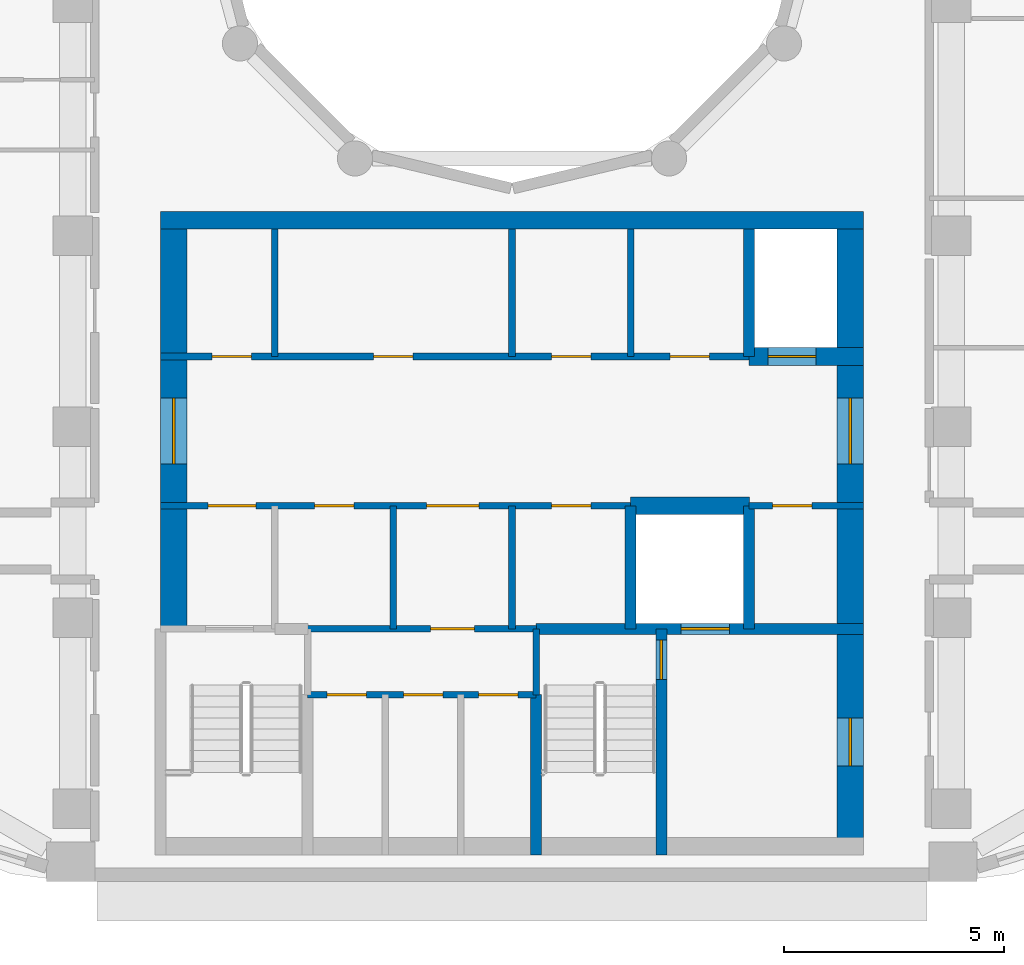
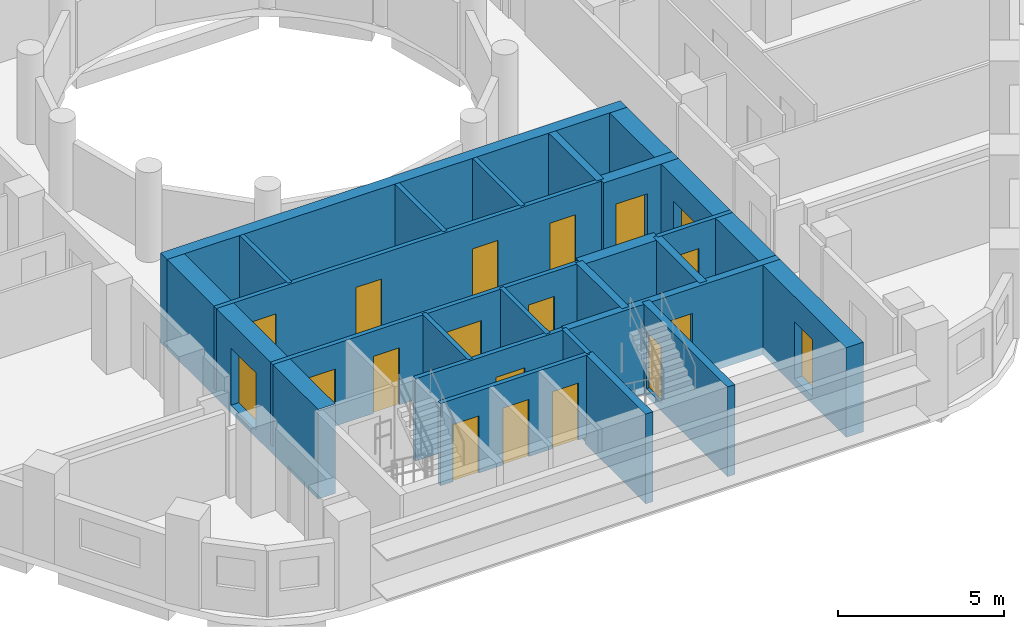
# One storey, part 3 of 12: 22 walls, 19 doors, 19 openings.
"""IFC4 building model written with IfcOpenShell, lengths in metres."""

import ifcopenshell
import ifcopenshell.guid

model = None  # the IFC model being written
_history = None  # IfcOwnerHistory: only IFC2X3 demands one
_inside = {}  # id of a spatial element -> (the spatial element, [elements in it])
_under = {}  # id of a project, library or spatial element -> (it, [spatial elements below it])
_declared = {}  # id of a project -> (the project, [libraries it declares])
_typed = {}  # id of a type object -> (the type object, [elements of that type])
_made_of = {}  # id of a material, layer set ... -> (it, [elements and type objects made of it])


def new_model(schema):
    """Start an empty IFC model of exactly this schema.

    Asked for "IFC4X3", IfcOpenShell would pick the latest addendum, in which some entities
    have other attributes; the version numbers below select the first issue.
    IFC2X3 requires an IfcOwnerHistory on every rooted entity: one is made here for all.
    """
    global model, _history
    if schema == "IFC4X3":
        model = ifcopenshell.file(schema_version=(4, 3, 0, 0))
    else:
        model = ifcopenshell.file(schema=schema)
    _inside.clear()
    _under.clear()
    _declared.clear()
    _typed.clear()
    _made_of.clear()
    _history = None
    if model.schema == "IFC2X3":
        org = make("IfcOrganization", Name="unknown")
        user = make(
            "IfcPersonAndOrganization",
            ThePerson=make("IfcPerson", FamilyName="unknown"),
            TheOrganization=org,
        )
        app = make(
            "IfcApplication",
            ApplicationDeveloper=org,
            Version="unknown",
            ApplicationFullName="unknown",
            ApplicationIdentifier="unknown",
        )
        _history = make(
            "IfcOwnerHistory",
            OwningUser=user,
            OwningApplication=app,
            ChangeAction="ADDED",
            CreationDate=0,
        )
    return model


def make(cls, **values):
    """One entity of the class cls with the attributes given. An attribute that is None is left unset."""
    return model.create_entity(
        cls, **{name: value for name, value in values.items() if value is not None}
    )


def rooted(cls, **values):
    """An entity with a GlobalId (a new one), such as an element, a storey or a relation."""
    return make(cls, GlobalId=ifcopenshell.guid.new(), OwnerHistory=_history, **values)


def si_unit(unit_type, name, prefix=None):
    """IfcSIUnit, for example si_unit("LENGTHUNIT", "METRE", prefix="MILLI")."""
    return make("IfcSIUnit", UnitType=unit_type, Prefix=prefix, Name=name)


def assignment(units):
    """IfcUnitAssignment: the units of a project."""
    return None if units is None else make("IfcUnitAssignment", Units=units)


def point(xyz):
    """IfcCartesianPoint."""
    return None if xyz is None else make("IfcCartesianPoint", Coordinates=xyz)


def direction(xyz):
    """IfcDirection."""
    return None if xyz is None else make("IfcDirection", DirectionRatios=xyz)


def frame(location, z_axis=None, x_axis=None):
    """IfcAxis2Placement3D, a coordinate frame: its origin and axes. An axis left out is left unset."""
    return make(
        "IfcAxis2Placement3D",
        Location=point(location),
        Axis=direction(z_axis),
        RefDirection=direction(x_axis),
    )


def frame_2d(location, x_axis=None):
    """IfcAxis2Placement2D, a coordinate frame in the plane: its origin and x axis."""
    return make(
        "IfcAxis2Placement2D", Location=point(location), RefDirection=direction(x_axis)
    )


def origin():
    """The frame at (0, 0, 0) with its axes left unset."""
    return frame((0.0, 0.0, 0.0))


def place(relative_to, where):
    """IfcLocalPlacement: puts the frame where relative to a parent placement (None: the world)."""
    return make(
        "IfcLocalPlacement", PlacementRelTo=relative_to, RelativePlacement=where
    )


def context(
    kind, dimensions, precision=None, world=None, true_north=None, identifier=None
):
    """IfcGeometricRepresentationContext, for example the 3D "Model" context."""
    return make(
        "IfcGeometricRepresentationContext",
        ContextIdentifier=identifier,
        ContextType=kind,
        CoordinateSpaceDimension=dimensions,
        Precision=precision,
        WorldCoordinateSystem=world,
        TrueNorth=true_north,
    )


def subcontext(parent, identifier, kind, view, scale=None):
    """IfcGeometricRepresentationSubContext, for example "Body" below "Model"."""
    return make(
        "IfcGeometricRepresentationSubContext",
        ContextIdentifier=identifier,
        ContextType=kind,
        ParentContext=parent,
        TargetScale=scale,
        TargetView=view,
    )


def project(units=None, contexts=None):
    """IfcProject with its units and contexts."""
    return rooted(
        "IfcProject",
        Name="project",
        RepresentationContexts=contexts,
        UnitsInContext=assignment(units),
    )


def spatial(cls, under=None, at=None, **own):
    """A site, building, storey or space (cls), placed at a placement, below another one or the project."""
    s = rooted(cls, ObjectPlacement=at, **own)
    if under is not None:
        _under.setdefault(under.id(), (under, []))[1].append(s)
    return s


def profile(cls, at=None, kind="AREA", **sizes):
    """A parametric profile (cls). Its sizes go by their IFC names, for example OverallWidth=200.0."""
    return make(cls, ProfileType=kind, Position=at, **sizes)


def rectangle(**sizes):
    """IfcRectangleProfileDef."""
    return profile("IfcRectangleProfileDef", **sizes)


def extrude(swept, where, along, depth):
    """IfcExtrudedAreaSolid: the profile swept, set in the frame where, extruded along a direction by depth."""
    return make(
        "IfcExtrudedAreaSolid",
        SweptArea=swept,
        Position=where,
        ExtrudedDirection=direction(along),
        Depth=depth,
    )


def shape(context_of_items, identifier, shape_type, items):
    """IfcShapeRepresentation: the items that make up one representation, for example the "Body"."""
    return make(
        "IfcShapeRepresentation",
        ContextOfItems=context_of_items,
        RepresentationIdentifier=identifier,
        RepresentationType=shape_type,
        Items=items,
    )


def material(Name=None, Category=None):
    """IfcMaterial."""
    return make("IfcMaterial", Name=Name, Category=Category)


def layer(
    of_material, thickness, ventilated=None, Name=None, Category=None, Priority=None
):
    """IfcMaterialLayer: one layer of a wall or slab, of a material (None: an air gap)."""
    return make(
        "IfcMaterialLayer",
        Material=of_material,
        LayerThickness=thickness,
        IsVentilated=ventilated,
        Name=Name,
        Category=Category,
        Priority=Priority,
    )


def layer_set(layers, Name=None):
    """IfcMaterialLayerSet."""
    return make("IfcMaterialLayerSet", MaterialLayers=layers, LayerSetName=Name)


def made_of(thing, what):
    """Note that an element or type object is made of a material, layer set ...; save() writes the relation."""
    if what is not None:
        _made_of.setdefault(what.id(), (what, []))[1].append(thing)
    return thing


def type_object(cls, material=None, **own):
    """A type object (cls), such as IfcWallType, which elements share."""
    return made_of(rooted(cls, **own), material)


def element(
    cls,
    number,
    at=None,
    inside=None,
    cuts=None,
    type_object=None,
    material=None,
    context=None,
    identifier="Body",
    shape_type=None,
    held_by="IfcProductDefinitionShape",
    body=None,
    shapes=None,
    **own,
):
    """One element of the class cls, such as IfcWall. Its Tag is "e" and its number.

    at: its placement. inside: the storey or other place that contains it. cuts: it is an
    opening in that element (IfcRelVoidsElement). A single representation is given by context,
    identifier, shape_type and body (its items); several are given by shapes. held_by: the class
    of the entity that holds the representations. save() writes the other relations.
    """
    e = rooted(cls, Tag="e%d" % number, ObjectPlacement=at, **own)
    if body is not None:
        shapes = [shape(context, identifier, shape_type, body)]
    if shapes is not None:
        e.Representation = make(held_by, Representations=shapes)
    if inside is not None:
        _inside.setdefault(inside.id(), (inside, []))[1].append(e)
    if cuts is not None:
        rooted(
            "IfcRelVoidsElement", RelatingBuildingElement=cuts, RelatedOpeningElement=e
        )
    if type_object is not None:
        _typed.setdefault(type_object.id(), (type_object, []))[1].append(e)
    return made_of(e, material)


def fill(opening, filler):
    """IfcRelFillsElement: the door or window that sits in an opening."""
    return rooted(
        "IfcRelFillsElement",
        RelatingOpeningElement=opening,
        RelatedBuildingElement=filler,
    )


def aggregate(whole, parts):
    """IfcRelAggregates: a whole, such as a stair, and the parts it consists of."""
    return rooted("IfcRelAggregates", RelatingObject=whole, RelatedObjects=parts)


def save(model, path):
    """Write the relations noted so far, then the file.

    IfcRelAggregates (storeys below a building ...), IfcRelContainedInSpatialStructure (elements
    in a storey), IfcRelDefinesByType, IfcRelAssociatesMaterial and IfcRelDeclares: one each for
    every whole, place, type object, material and project.
    """
    for whole, parts in _under.values():
        aggregate(whole, parts)
    for where, things in _inside.values():
        rooted(
            "IfcRelContainedInSpatialStructure",
            RelatedElements=things,
            RelatingStructure=where,
        )
    for kind, things in _typed.values():
        rooted("IfcRelDefinesByType", RelatedObjects=things, RelatingType=kind)
    for what, things in _made_of.values():
        rooted("IfcRelAssociatesMaterial", RelatedObjects=things, RelatingMaterial=what)
    for by, libraries in _declared.values():
        rooted("IfcRelDeclares", RelatingContext=by, RelatedDefinitions=libraries)
    model.write(path)


model = new_model("IFC4")

# Units and contexts
model_context = context("Model", 3, precision=1e-05, world=origin(), true_north=direction((0.0, 1.0)))
body_context = subcontext(model_context, "Body", "Model", "MODEL_VIEW")
ifc_project = project(units=[si_unit("LENGTHUNIT", "METRE"), si_unit("AREAUNIT", "SQUARE_METRE"), si_unit("VOLUMEUNIT", "CUBIC_METRE"), si_unit("PLANEANGLEUNIT", "RADIAN"), si_unit("MASSUNIT", "GRAM", prefix="KILO")], contexts=[model_context])

# Site, building, storey
site_placement = place(None, origin())
site = spatial("IfcSite", under=ifc_project, at=site_placement, CompositionType="ELEMENT")
building_placement = place(site_placement, origin())
building = spatial("IfcBuilding", under=site, at=building_placement, Name="Nakaniwa Court", CompositionType="ELEMENT")
storey_placement = place(building_placement, frame((0.0, 0.0, 255.89990234375)))
storey = spatial("IfcBuildingStorey", under=building, at=storey_placement, Name="L67", CompositionType="ELEMENT", Elevation=255.89990234375)

# Wall
ifc_material_1 = material(Name="Blockwork partition", Category="masonry")
ifc_layer_1 = layer(ifc_material_1, 0.14990234375)
ifc_layer_set_1 = layer_set([ifc_layer_1], Name="Blockwork partition")
wall_type_1 = type_object("IfcWallType", Name="Blockwork partition 150", PredefinedType="PARTITIONING", material=ifc_layer_set_1)
wall_1_placement = place(storey_placement, frame((74.60009765625, 69.300048828125, 0.0), z_axis=(0.0, 0.0, 1.0), x_axis=(0.0, 1.0, 0.0)))
element("IfcWall", 1, at=wall_1_placement, inside=storey, type_object=wall_type_1, Name="Partition PW-031", PredefinedType="PARTITIONING", context=body_context, shape_type="SweptSolid", body=[
    extrude(rectangle(XDim=2.89990234375, YDim=0.14990234375, at=frame_2d((1.449951171875, 0.0))), origin(), (0.0, 0.0, 1.0), 3.025146484375),
])

# Wall, openings, doors
wall_2_placement = place(storey_placement, frame((72.0, 69.300048828125, 0.0), z_axis=(0.0, 0.0, 1.0), x_axis=(1.0, 0.0, 0.0)))
wall_2 = element("IfcWall", 2, at=wall_2_placement, inside=storey, type_object=wall_type_1, Name="Partition PW-032", PredefinedType="PARTITIONING", context=body_context, shape_type="SweptSolid", body=[
    extrude(rectangle(XDim=13.39990234375, YDim=0.14990234375, at=frame_2d((6.699951171875, 0.0))), origin(), (0.0, 0.0, 1.0), 3.025146484375),
])
opening_1_placement = place(wall_2_placement, frame((1.175048828125, 0.0, 0.0)))
opening_1 = element("IfcOpeningElement", 3, at=opening_1_placement, cuts=wall_2, Name="Opening D-05-11", PredefinedType="OPENING", context=body_context, shape_type="SweptSolid", body=[
    extrude(rectangle(XDim=0.89990234375, YDim=2.10009765625, at=frame_2d((0.449951171875, 1.050048828125))), frame((0.0, 0.0849609375, 0.0), z_axis=(0.0, -1.0, 0.0), x_axis=(1.0, 0.0, 0.0)), (0.0, 0.0, 1.0), 0.169921875),
])
opening_2_placement = place(wall_2_placement, frame((4.85009765625, 0.0, 0.0)))
opening_2 = element("IfcOpeningElement", 4, at=opening_2_placement, cuts=wall_2, Name="Opening D-05-12", PredefinedType="OPENING", context=body_context, shape_type="SweptSolid", body=[
    extrude(rectangle(XDim=0.89990234375, YDim=2.10009765625, at=frame_2d((0.449951171875, 1.050048828125))), frame((0.0, 0.0849609375, 0.0), z_axis=(0.0, -1.0, 0.0), x_axis=(1.0, 0.0, 0.0)), (0.0, 0.0, 1.0), 0.169921875),
])
opening_3_placement = place(wall_2_placement, frame((8.89990234375, 0.0, 0.0)))
opening_3 = element("IfcOpeningElement", 5, at=opening_3_placement, cuts=wall_2, Name="Opening D-05-13", PredefinedType="OPENING", context=body_context, shape_type="SweptSolid", body=[
    extrude(rectangle(XDim=0.89990234375, YDim=2.10009765625, at=frame_2d((0.449951171875, 1.050048828125))), frame((0.0, 0.0849609375, 0.0), z_axis=(0.0, -1.0, 0.0), x_axis=(1.0, 0.0, 0.0)), (0.0, 0.0, 1.0), 0.169921875),
])
opening_4_placement = place(wall_2_placement, frame((11.60009765625, 0.0, 0.0)))
opening_4 = element("IfcOpeningElement", 6, at=opening_4_placement, cuts=wall_2, Name="Opening D-05-14", PredefinedType="OPENING", context=body_context, shape_type="SweptSolid", body=[
    extrude(rectangle(XDim=0.89990234375, YDim=2.10009765625, at=frame_2d((0.449951171875, 1.050048828125))), frame((0.0, 0.0849609375, 0.0), z_axis=(0.0, -1.0, 0.0), x_axis=(1.0, 0.0, 0.0)), (0.0, 0.0, 1.0), 0.169921875),
])
ifc_material_2 = material(Name="Fire rated steel door set", Category="steel")
door_type_1 = type_object("IfcDoorType", Name="Service room door 900", OperationType="NOTDEFINED", PredefinedType="DOOR", material=ifc_material_2)
door_1_placement = place(opening_1_placement, origin())
door_1 = element("IfcDoor", 7, at=door_1_placement, inside=storey, type_object=door_type_1, Name="Door D-05-11 L67-016", OperationType="SINGLE_SWING_LEFT", OverallHeight=2.10009765625, OverallWidth=0.89990234375, PredefinedType="DOOR", context=body_context, shape_type="SweptSolid", body=[
    extrude(rectangle(XDim=0.89990234375, YDim=2.10009765625, at=frame_2d((0.449951171875, 1.050048828125))), frame((0.0, 0.02490234375, 0.0), z_axis=(0.0, -1.0, 0.0), x_axis=(1.0, 0.0, 0.0)), (0.0, 0.0, 1.0), 0.050048828125),
])
fill(opening_1, door_1)
door_2_placement = place(opening_2_placement, origin())
door_2 = element("IfcDoor", 8, at=door_2_placement, inside=storey, type_object=door_type_1, Name="Door D-05-12 L67-017", OperationType="SINGLE_SWING_RIGHT", OverallHeight=2.10009765625, OverallWidth=0.89990234375, PredefinedType="DOOR", context=body_context, shape_type="SweptSolid", body=[
    extrude(rectangle(XDim=0.89990234375, YDim=2.10009765625, at=frame_2d((0.449951171875, 1.050048828125))), frame((0.0, 0.02490234375, 0.0), z_axis=(0.0, -1.0, 0.0), x_axis=(1.0, 0.0, 0.0)), (0.0, 0.0, 1.0), 0.050048828125),
])
fill(opening_2, door_2)
door_3_placement = place(opening_3_placement, origin())
door_3 = element("IfcDoor", 9, at=door_3_placement, inside=storey, type_object=door_type_1, Name="Door D-05-13 L67-018", OperationType="SINGLE_SWING_LEFT", OverallHeight=2.10009765625, OverallWidth=0.89990234375, PredefinedType="DOOR", context=body_context, shape_type="SweptSolid", body=[
    extrude(rectangle(XDim=0.89990234375, YDim=2.10009765625, at=frame_2d((0.449951171875, 1.050048828125))), frame((0.0, 0.02490234375, 0.0), z_axis=(0.0, -1.0, 0.0), x_axis=(1.0, 0.0, 0.0)), (0.0, 0.0, 1.0), 0.050048828125),
])
fill(opening_3, door_3)
door_4_placement = place(opening_4_placement, origin())
door_4 = element("IfcDoor", 10, at=door_4_placement, inside=storey, type_object=door_type_1, Name="Door D-05-14 L67-019", OperationType="SINGLE_SWING_RIGHT", OverallHeight=2.10009765625, OverallWidth=0.89990234375, PredefinedType="DOOR", context=body_context, shape_type="SweptSolid", body=[
    extrude(rectangle(XDim=0.89990234375, YDim=2.10009765625, at=frame_2d((0.449951171875, 1.050048828125))), frame((0.0, 0.02490234375, 0.0), z_axis=(0.0, -1.0, 0.0), x_axis=(1.0, 0.0, 0.0)), (0.0, 0.0, 1.0), 0.050048828125),
])
fill(opening_4, door_4)

# Walls
wall_3_placement = place(storey_placement, frame((80.0, 63.10009765625, 0.0), z_axis=(0.0, 0.0, 1.0), x_axis=(0.0, 1.0, 0.0)))
element("IfcWall", 11, at=wall_3_placement, inside=storey, type_object=wall_type_1, Name="Partition PW-038", PredefinedType="PARTITIONING", context=body_context, shape_type="SweptSolid", body=[
    extrude(rectangle(XDim=2.7998046875, YDim=0.14990234375, at=frame_2d((1.39990234375, 0.0))), origin(), (0.0, 0.0, 1.0), 3.025146484375),
])
for number, where, z_axis, x_axis, name in (
    (12, (80.0, 69.300048828125, 0.0), (0.0, 0.0, 1.0), (0.0, 1.0, 0.0), "Partition PW-039"),
    (13, (82.699951171875, 69.300048828125, 0.0), (0.0, 0.0, 1.0), (0.0, 1.0, 0.0), "Partition PW-040"),
):
    element("IfcWall", number, at=place(storey_placement, frame(where, z_axis=z_axis, x_axis=x_axis)), inside=storey, type_object=wall_type_1, Name=name, PredefinedType="PARTITIONING", context=body_context, shape_type="SweptSolid", body=[
        extrude(rectangle(XDim=2.89990234375, YDim=0.14990234375, at=frame_2d((1.449951171875, 0.0))), origin(), (0.0, 0.0, 1.0), 3.025146484375),
    ])

# Wall, openings, doors
wall_4_placement = place(storey_placement, frame((82.702880859375, 65.89990234375, 0.0), z_axis=(0.0, 0.0, 1.0), x_axis=(-1.0, 0.0, 0.0)))
wall_4 = element("IfcWall", 14, at=wall_4_placement, inside=storey, type_object=wall_type_1, Name="Partition PW-041", PredefinedType="PARTITIONING", context=body_context, shape_type="SweptSolid", body=[
    extrude(rectangle(XDim=10.702880859375, YDim=0.14990234375, at=frame_2d((5.3515625, 0.0))), origin(), (0.0, 0.0, 1.0), 3.025146484375),
])
opening_5_placement = place(wall_4_placement, frame((8.528076171875, 0.0, 0.0)))
opening_5 = element("IfcOpeningElement", 15, at=opening_5_placement, cuts=wall_4, Name="Opening D-08-02", PredefinedType="OPENING", context=body_context, shape_type="SweptSolid", body=[
    extrude(rectangle(XDim=1.10009765625, YDim=2.10009765625, at=frame_2d((0.550048828125, 1.050048828125))), frame((0.0, 0.0849609375, 0.0), z_axis=(0.0, -1.0, 0.0), x_axis=(1.0, 0.0, 0.0)), (0.0, 0.0, 1.0), 0.169921875),
])
opening_6_placement = place(wall_4_placement, frame((6.302978515625, 0.0, 0.0)))
opening_6 = element("IfcOpeningElement", 16, at=opening_6_placement, cuts=wall_4, Name="Opening D-05-15", PredefinedType="OPENING", context=body_context, shape_type="SweptSolid", body=[
    extrude(rectangle(XDim=0.89990234375, YDim=2.10009765625, at=frame_2d((0.449951171875, 1.050048828125))), frame((0.0, 0.0849609375, 0.0), z_axis=(0.0, -1.0, 0.0), x_axis=(1.0, 0.0, 0.0)), (0.0, 0.0, 1.0), 0.169921875),
])
opening_7_placement = place(wall_4_placement, frame((3.452880859375, 0.0, 0.0)))
opening_7 = element("IfcOpeningElement", 17, at=opening_7_placement, cuts=wall_4, Name="Opening D-06-02", PredefinedType="OPENING", context=body_context, shape_type="SweptSolid", body=[
    extrude(rectangle(XDim=1.199951171875, YDim=2.10009765625, at=frame_2d((0.60009765625, 1.050048828125))), frame((0.0, 0.0849609375, 0.0), z_axis=(0.0, -1.0, 0.0), x_axis=(1.0, 0.0, 0.0)), (0.0, 0.0, 1.0), 0.169921875),
])
opening_8_placement = place(wall_4_placement, frame((0.903076171875, 0.0, 0.0)))
opening_8 = element("IfcOpeningElement", 18, at=opening_8_placement, cuts=wall_4, Name="Opening D-05-16", PredefinedType="OPENING", context=body_context, shape_type="SweptSolid", body=[
    extrude(rectangle(XDim=0.89990234375, YDim=2.10009765625, at=frame_2d((0.449951171875, 1.050048828125))), frame((0.0, 0.0849609375, 0.0), z_axis=(0.0, -1.0, 0.0), x_axis=(1.0, 0.0, 0.0)), (0.0, 0.0, 1.0), 0.169921875),
])
ifc_material_3 = material(Name="Fire rated steel double door set", Category="steel")
door_type_2 = type_object("IfcDoorType", Name="Service passage double door 1200", OperationType="NOTDEFINED", PredefinedType="DOOR", material=ifc_material_3)
door_5_placement = place(opening_7_placement, origin())
door_5 = element("IfcDoor", 19, at=door_5_placement, inside=storey, type_object=door_type_2, Name="Door D-06-02 L67-022", OperationType="DOUBLE_DOOR_SINGLE_SWING", OverallHeight=2.10009765625, OverallWidth=1.199951171875, PredefinedType="DOOR", context=body_context, shape_type="SweptSolid", body=[
    extrude(rectangle(XDim=1.199951171875, YDim=2.10009765625, at=frame_2d((0.60009765625, 1.050048828125))), frame((0.0, 0.02490234375, 0.0), z_axis=(0.0, -1.0, 0.0), x_axis=(1.0, 0.0, 0.0)), (0.0, 0.0, 1.0), 0.050048828125),
])
fill(opening_7, door_5)
door_6_placement = place(opening_6_placement, origin())
door_6 = element("IfcDoor", 20, at=door_6_placement, inside=storey, type_object=door_type_1, Name="Door D-05-15 L67-021", OperationType="SINGLE_SWING_RIGHT", OverallHeight=2.10009765625, OverallWidth=0.89990234375, PredefinedType="DOOR", context=body_context, shape_type="SweptSolid", body=[
    extrude(rectangle(XDim=0.89990234375, YDim=2.10009765625, at=frame_2d((0.449951171875, 1.050048828125))), frame((0.0, 0.02490234375, 0.0), z_axis=(0.0, -1.0, 0.0), x_axis=(1.0, 0.0, 0.0)), (0.0, 0.0, 1.0), 0.050048828125),
])
fill(opening_6, door_6)
door_7_placement = place(opening_8_placement, origin())
door_7 = element("IfcDoor", 21, at=door_7_placement, inside=storey, type_object=door_type_1, Name="Door D-05-16 L67-023", OperationType="SINGLE_SWING_RIGHT", OverallHeight=2.10009765625, OverallWidth=0.89990234375, PredefinedType="DOOR", context=body_context, shape_type="SweptSolid", body=[
    extrude(rectangle(XDim=0.89990234375, YDim=2.10009765625, at=frame_2d((0.449951171875, 1.050048828125))), frame((0.0, 0.02490234375, 0.0), z_axis=(0.0, -1.0, 0.0), x_axis=(1.0, 0.0, 0.0)), (0.0, 0.0, 1.0), 0.050048828125),
])
fill(opening_8, door_7)
door_type_3 = type_object("IfcDoorType", Name="Stair lobby door 1100", OperationType="NOTDEFINED", PredefinedType="DOOR", material=ifc_material_2)
door_8_placement = place(opening_5_placement, origin())
door_8 = element("IfcDoor", 22, at=door_8_placement, inside=storey, type_object=door_type_3, Name="Door D-08-02 L67-020", OperationType="SINGLE_SWING_LEFT", OverallHeight=2.10009765625, OverallWidth=1.10009765625, PredefinedType="DOOR", context=body_context, shape_type="SweptSolid", body=[
    extrude(rectangle(XDim=1.10009765625, YDim=2.10009765625, at=frame_2d((0.550048828125, 1.050048828125))), frame((0.0, 0.02490234375, 0.0), z_axis=(0.0, -1.0, 0.0), x_axis=(1.0, 0.0, 0.0)), (0.0, 0.0, 1.0), 0.050048828125),
])
fill(opening_5, door_8)

# Wall, opening, door
wall_5_placement = place(storey_placement, frame((88.0, 65.89990234375, 0.0), z_axis=(0.0, 0.0, 1.0), x_axis=(-1.0, 0.0, 0.0)))
wall_5 = element("IfcWall", 23, at=wall_5_placement, inside=storey, type_object=wall_type_1, Name="Partition PW-042", PredefinedType="PARTITIONING", context=body_context, shape_type="SweptSolid", body=[
    extrude(rectangle(XDim=2.60302734375, YDim=0.14990234375, at=frame_2d((1.301513671875, 0.0))), origin(), (0.0, 0.0, 1.0), 3.025146484375),
])
opening_9_placement = place(wall_5_placement, frame((1.175048828125, 0.0, 0.0)))
opening_9 = element("IfcOpeningElement", 24, at=opening_9_placement, cuts=wall_5, Name="Opening D-05-17", PredefinedType="OPENING", context=body_context, shape_type="SweptSolid", body=[
    extrude(rectangle(XDim=0.89990234375, YDim=2.10009765625, at=frame_2d((0.449951171875, 1.050048828125))), frame((0.0, 0.0849609375, 0.0), z_axis=(0.0, -1.0, 0.0), x_axis=(1.0, 0.0, 0.0)), (0.0, 0.0, 1.0), 0.169921875),
])
door_9_placement = place(opening_9_placement, origin())
door_9 = element("IfcDoor", 25, at=door_9_placement, inside=storey, type_object=door_type_1, Name="Door D-05-17 L67-024", OperationType="SINGLE_SWING_LEFT", OverallHeight=2.10009765625, OverallWidth=0.89990234375, PredefinedType="DOOR", context=body_context, shape_type="SweptSolid", body=[
    extrude(rectangle(XDim=0.89990234375, YDim=2.10009765625, at=frame_2d((0.449951171875, 1.050048828125))), frame((0.0, 0.02490234375, 0.0), z_axis=(0.0, -1.0, 0.0), x_axis=(1.0, 0.0, 0.0)), (0.0, 0.0, 1.0), 0.050048828125),
])
fill(opening_9, door_9)

# Wall
wall_6_placement = place(storey_placement, frame((77.300048828125, 63.10009765625, 0.0), z_axis=(0.0, 0.0, 1.0), x_axis=(0.0, 1.0, 0.0)))
element("IfcWall", 26, at=wall_6_placement, inside=storey, type_object=wall_type_1, Name="Partition PW-045", PredefinedType="PARTITIONING", context=body_context, shape_type="SweptSolid", body=[
    extrude(rectangle(XDim=2.7998046875, YDim=0.14990234375, at=frame_2d((1.39990234375, 0.0))), origin(), (0.0, 0.0, 1.0), 3.025146484375),
])

# Wall, opening, door
wall_7_placement = place(storey_placement, frame((80.552978515625, 63.10009765625, 0.0), z_axis=(0.0, 0.0, 1.0), x_axis=(-1.0, 0.0, 0.0)))
wall_7 = element("IfcWall", 27, at=wall_7_placement, inside=storey, type_object=wall_type_1, Name="Partition PW-048", PredefinedType="PARTITIONING", context=body_context, shape_type="SweptSolid", body=[
    extrude(rectangle(XDim=5.2060546875, YDim=0.14990234375, at=frame_2d((2.60302734375, 0.0))), origin(), (0.0, 0.0, 1.0), 3.025146484375),
])
opening_10_placement = place(wall_7_placement, frame((1.403076171875, 0.0, 0.0)))
opening_10 = element("IfcOpeningElement", 28, at=opening_10_placement, cuts=wall_7, Name="Opening D-23-02", PredefinedType="OPENING", context=body_context, shape_type="SweptSolid", body=[
    extrude(rectangle(XDim=1.0, YDim=2.10009765625, at=frame_2d((0.5, 1.050048828125))), frame((0.0, 0.0849609375, 0.0), z_axis=(0.0, -1.0, 0.0), x_axis=(1.0, 0.0, 0.0)), (0.0, 0.0, 1.0), 0.169921875),
])
door_type_4 = type_object("IfcDoorType", Name="Service room door 1000", OperationType="NOTDEFINED", PredefinedType="DOOR", material=ifc_material_2)
door_10_placement = place(opening_10_placement, origin())
door_10 = element("IfcDoor", 29, at=door_10_placement, inside=storey, type_object=door_type_4, Name="Door D-23-02 L67-025", OperationType="SINGLE_SWING_RIGHT", OverallHeight=2.10009765625, OverallWidth=1.0, PredefinedType="DOOR", context=body_context, shape_type="SweptSolid", body=[
    extrude(rectangle(XDim=1.0, YDim=2.10009765625, at=frame_2d((0.5, 1.050048828125))), frame((0.0, 0.02490234375, 0.0), z_axis=(0.0, -1.0, 0.0), x_axis=(1.0, 0.0, 0.0)), (0.0, 0.0, 1.0), 0.050048828125),
])
fill(opening_10, door_10)

# Wall, openings, doors
wall_8_placement = place(storey_placement, frame((80.550048828125, 61.60009765625, 0.0), z_axis=(0.0, 0.0, 1.0), x_axis=(-1.0, 0.0, 0.0)))
wall_8 = element("IfcWall", 30, at=wall_8_placement, inside=storey, type_object=wall_type_1, Name="Partition PW-056", PredefinedType="PARTITIONING", context=body_context, shape_type="SweptSolid", body=[
    extrude(rectangle(XDim=5.199951171875, YDim=0.14990234375, at=frame_2d((2.60009765625, 0.0))), origin(), (0.0, 0.0, 1.0), 3.025146484375),
])
opening_11_placement = place(wall_8_placement, frame((3.865966796875, 0.0, 0.0)))
opening_11 = element("IfcOpeningElement", 31, at=opening_11_placement, cuts=wall_8, Name="Opening D-05-18", PredefinedType="OPENING", context=body_context, shape_type="SweptSolid", body=[
    extrude(rectangle(XDim=0.89990234375, YDim=2.10009765625, at=frame_2d((0.449951171875, 1.050048828125))), frame((0.0, 0.0849609375, 0.0), z_axis=(0.0, -1.0, 0.0), x_axis=(1.0, 0.0, 0.0)), (0.0, 0.0, 1.0), 0.169921875),
])
opening_12_placement = place(wall_8_placement, frame((2.1240234375, 0.0, 0.0)))
opening_12 = element("IfcOpeningElement", 32, at=opening_12_placement, cuts=wall_8, Name="Opening D-05-19", PredefinedType="OPENING", context=body_context, shape_type="SweptSolid", body=[
    extrude(rectangle(XDim=0.89990234375, YDim=2.10009765625, at=frame_2d((0.449951171875, 1.050048828125))), frame((0.0, 0.0849609375, 0.0), z_axis=(0.0, -1.0, 0.0), x_axis=(1.0, 0.0, 0.0)), (0.0, 0.0, 1.0), 0.169921875),
])
opening_13_placement = place(wall_8_placement, frame((0.407958984375, 0.0, 0.0)))
opening_13 = element("IfcOpeningElement", 33, at=opening_13_placement, cuts=wall_8, Name="Opening D-05-20", PredefinedType="OPENING", context=body_context, shape_type="SweptSolid", body=[
    extrude(rectangle(XDim=0.89990234375, YDim=2.10009765625, at=frame_2d((0.449951171875, 1.050048828125))), frame((0.0, 0.0849609375, 0.0), z_axis=(0.0, -1.0, 0.0), x_axis=(1.0, 0.0, 0.0)), (0.0, 0.0, 1.0), 0.169921875),
])
door_11_placement = place(opening_11_placement, origin())
door_11 = element("IfcDoor", 34, at=door_11_placement, inside=storey, type_object=door_type_1, Name="Door D-05-18 L67-026", OperationType="SINGLE_SWING_LEFT", OverallHeight=2.10009765625, OverallWidth=0.89990234375, PredefinedType="DOOR", context=body_context, shape_type="SweptSolid", body=[
    extrude(rectangle(XDim=0.89990234375, YDim=2.10009765625, at=frame_2d((0.449951171875, 1.050048828125))), frame((0.0, 0.02490234375, 0.0), z_axis=(0.0, -1.0, 0.0), x_axis=(1.0, 0.0, 0.0)), (0.0, 0.0, 1.0), 0.050048828125),
])
fill(opening_11, door_11)
door_12_placement = place(opening_12_placement, origin())
door_12 = element("IfcDoor", 35, at=door_12_placement, inside=storey, type_object=door_type_1, Name="Door D-05-19 L67-027", OperationType="SINGLE_SWING_RIGHT", OverallHeight=2.10009765625, OverallWidth=0.89990234375, PredefinedType="DOOR", context=body_context, shape_type="SweptSolid", body=[
    extrude(rectangle(XDim=0.89990234375, YDim=2.10009765625, at=frame_2d((0.449951171875, 1.050048828125))), frame((0.0, 0.02490234375, 0.0), z_axis=(0.0, -1.0, 0.0), x_axis=(1.0, 0.0, 0.0)), (0.0, 0.0, 1.0), 0.050048828125),
])
fill(opening_12, door_12)
door_13_placement = place(opening_13_placement, origin())
door_13 = element("IfcDoor", 36, at=door_13_placement, inside=storey, type_object=door_type_1, Name="Door D-05-20 L67-028", OperationType="SINGLE_SWING_LEFT", OverallHeight=2.10009765625, OverallWidth=0.89990234375, PredefinedType="DOOR", context=body_context, shape_type="SweptSolid", body=[
    extrude(rectangle(XDim=0.89990234375, YDim=2.10009765625, at=frame_2d((0.449951171875, 1.050048828125))), frame((0.0, 0.02490234375, 0.0), z_axis=(0.0, -1.0, 0.0), x_axis=(1.0, 0.0, 0.0)), (0.0, 0.0, 1.0), 0.050048828125),
])
fill(opening_13, door_13)

# Wall, opening, door
ifc_material_4 = material(Name="Concrete C80/100", Category="concrete")
ifc_layer_2 = layer(ifc_material_4, 0.60009765625)
ifc_layer_set_2 = layer_set([ifc_layer_2], Name="Concrete C80/100")
wall_type_2 = type_object("IfcWallType", Name="Concrete core side wall 600 C80", PredefinedType="SHEAR", material=ifc_layer_set_2)
wall_9_placement = place(storey_placement, frame((72.300048828125, 63.10009765625, -0.27490234375), z_axis=(0.0, 0.0, 1.0), x_axis=(0.0, 1.0, 0.0)))
wall_9 = element("IfcWall", 37, at=wall_9_placement, inside=storey, type_object=wall_type_2, Name="Core wall SW-33", PredefinedType="SHEAR", context=body_context, shape_type="SweptSolid", body=[
    extrude(rectangle(XDim=9.099853515625, YDim=0.60009765625, at=frame_2d((4.5498046875, 0.0))), origin(), (0.0, 0.0, 1.0), 3.300048828125),
])
opening_14_placement = place(wall_9_placement, frame((3.75, 0.0, 0.27490234375)))
opening_14 = element("IfcOpeningElement", 38, at=opening_14_placement, cuts=wall_9, Name="Opening D-07-04", PredefinedType="OPENING", context=body_context, shape_type="SweptSolid", body=[
    extrude(rectangle(XDim=1.5, YDim=2.10009765625, at=frame_2d((0.75, 1.050048828125))), frame((0.0, 0.31005859375, 0.0), z_axis=(0.0, -1.0, 0.0), x_axis=(1.0, 0.0, 0.0)), (0.0, 0.0, 1.0), 0.6201171875),
])
ifc_material_5 = material(Name="Glazed fire rated steel double door set", Category="steel")
door_type_5 = type_object("IfcDoorType", Name="Lobby double door 1500", OperationType="NOTDEFINED", PredefinedType="DOOR", material=ifc_material_5)
door_14_placement = place(opening_14_placement, origin())
door_14 = element("IfcDoor", 39, at=door_14_placement, inside=storey, type_object=door_type_5, Name="Door D-07-04 L67-067", OperationType="DOUBLE_DOOR_SINGLE_SWING", OverallHeight=2.10009765625, OverallWidth=1.5, PredefinedType="DOOR", context=body_context, shape_type="SweptSolid", body=[
    extrude(rectangle(XDim=1.5, YDim=2.10009765625, at=frame_2d((0.75, 1.050048828125))), frame((0.0, 0.02490234375, 0.0), z_axis=(0.0, -1.0, 0.0), x_axis=(1.0, 0.0, 0.0)), (0.0, 0.0, 1.0), 0.050048828125),
])
fill(opening_14, door_14)

# Wall, openings, doors
wall_10_placement = place(storey_placement, frame((87.699951171875, 72.199951171875, -0.27490234375), z_axis=(0.0, 0.0, 1.0), x_axis=(0.0, -1.0, 0.0)))
wall_10 = element("IfcWall", 40, at=wall_10_placement, inside=storey, type_object=wall_type_2, Name="Core wall SW-37", PredefinedType="SHEAR", context=body_context, shape_type="SweptSolid", body=[
    extrude(rectangle(XDim=14.25, YDim=0.60009765625, at=frame_2d((7.125, 0.0))), origin(), (0.0, 0.0, 1.0), 3.300048828125),
])
opening_15_placement = place(wall_10_placement, frame((3.85009765625, 0.0, 0.27490234375)))
opening_15 = element("IfcOpeningElement", 41, at=opening_15_placement, cuts=wall_10, Name="Opening D-07-03", PredefinedType="OPENING", context=body_context, shape_type="SweptSolid", body=[
    extrude(rectangle(XDim=1.5, YDim=2.10009765625, at=frame_2d((0.75, 1.050048828125))), frame((0.0, 0.31005859375, 0.0), z_axis=(0.0, -1.0, 0.0), x_axis=(1.0, 0.0, 0.0)), (0.0, 0.0, 1.0), 0.6201171875),
])
opening_16_placement = place(wall_10_placement, frame((11.125, 0.0, 0.27490234375)))
opening_16 = element("IfcOpeningElement", 42, at=opening_16_placement, cuts=wall_10, Name="Opening D-10-02", PredefinedType="OPENING", context=body_context, shape_type="SweptSolid", body=[
    extrude(rectangle(XDim=1.10009765625, YDim=2.10009765625, at=frame_2d((0.550048828125, 1.050048828125))), frame((0.0, 0.31005859375, 0.0), z_axis=(0.0, -1.0, 0.0), x_axis=(1.0, 0.0, 0.0)), (0.0, 0.0, 1.0), 0.6201171875),
])
door_type_6 = type_object("IfcDoorType", Name="Firefighting lobby door 1100", OperationType="NOTDEFINED", PredefinedType="DOOR", material=ifc_material_2)
door_15_placement = place(opening_16_placement, origin())
door_15 = element("IfcDoor", 43, at=door_15_placement, inside=storey, type_object=door_type_6, Name="Door D-10-02 L67-068", OperationType="SINGLE_SWING_LEFT", OverallHeight=2.10009765625, OverallWidth=1.10009765625, PredefinedType="DOOR", context=body_context, shape_type="SweptSolid", body=[
    extrude(rectangle(XDim=1.10009765625, YDim=2.10009765625, at=frame_2d((0.550048828125, 1.050048828125))), frame((0.0, 0.02490234375, 0.0), z_axis=(0.0, -1.0, 0.0), x_axis=(1.0, 0.0, 0.0)), (0.0, 0.0, 1.0), 0.050048828125),
])
fill(opening_16, door_15)
door_16_placement = place(opening_15_placement, origin())
door_16 = element("IfcDoor", 44, at=door_16_placement, inside=storey, type_object=door_type_5, Name="Door D-07-03 L67-066", OperationType="DOUBLE_DOOR_SINGLE_SWING", OverallHeight=2.10009765625, OverallWidth=1.5, PredefinedType="DOOR", context=body_context, shape_type="SweptSolid", body=[
    extrude(rectangle(XDim=1.5, YDim=2.10009765625, at=frame_2d((0.75, 1.050048828125))), frame((0.0, 0.02490234375, 0.0), z_axis=(0.0, -1.0, 0.0), x_axis=(1.0, 0.0, 0.0)), (0.0, 0.0, 1.0), 0.050048828125),
])
fill(opening_15, door_16)

# Wall, opening, door
ifc_layer_3 = layer(ifc_material_4, 0.39990234375)
ifc_layer_set_3 = layer_set([ifc_layer_3], Name="Concrete C80/100")
wall_type_3 = type_object("IfcWallType", Name="Concrete core spine wall 400 C80", PredefinedType="SHEAR", material=ifc_layer_set_3)
wall_11_placement = place(storey_placement, frame((85.39990234375, 69.300048828125, -0.27490234375), z_axis=(0.0, 0.0, 1.0), x_axis=(1.0, 0.0, 0.0)))
wall_11 = element("IfcWall", 45, at=wall_11_placement, inside=storey, type_object=wall_type_3, Name="Core wall SW-36", PredefinedType="SHEAR", context=body_context, shape_type="SweptSolid", body=[
    extrude(rectangle(XDim=2.60009765625, YDim=0.39990234375, at=frame_2d((1.300048828125, 0.0))), origin(), (0.0, 0.0, 1.0), 3.300048828125),
])
opening_17_placement = place(wall_11_placement, frame((0.425048828125, 0.0, 0.27490234375)))
opening_17 = element("IfcOpeningElement", 46, at=opening_17_placement, cuts=wall_11, Name="Opening LD03", PredefinedType="OPENING", context=body_context, shape_type="SweptSolid", body=[
    extrude(rectangle(XDim=1.10009765625, YDim=2.10009765625, at=frame_2d((0.550048828125, 1.050048828125))), frame((0.0, 0.2099609375, 0.0), z_axis=(0.0, -1.0, 0.0), x_axis=(1.0, 0.0, 0.0)), (0.0, 0.0, 1.0), 0.419921875),
])
ifc_material_6 = material(Name="Stainless steel sliding lift landing door", Category="steel")
door_type_7 = type_object("IfcDoorType", Name="Lift landing door 1100", OperationType="NOTDEFINED", PredefinedType="DOOR", material=ifc_material_6)
door_17_placement = place(opening_17_placement, origin())
door_17 = element("IfcDoor", 47, at=door_17_placement, inside=storey, type_object=door_type_7, Name="Lift landing door LD03 L67-003", OperationType="SLIDING_TO_LEFT", OverallHeight=2.10009765625, OverallWidth=1.10009765625, PredefinedType="DOOR", context=body_context, shape_type="SweptSolid", body=[
    extrude(rectangle(XDim=1.10009765625, YDim=2.10009765625, at=frame_2d((0.550048828125, 1.050048828125))), frame((0.0, 0.02490234375, 0.0), z_axis=(0.0, -1.0, 0.0), x_axis=(1.0, 0.0, 0.0)), (0.0, 0.0, 1.0), 0.050048828125),
])
fill(opening_17, door_17)

# Walls
wall_12_placement = place(storey_placement, frame((82.697021484375, 65.89990234375, -0.27490234375), z_axis=(0.0, 0.0, 1.0), x_axis=(1.0, 0.0, 0.0)))
element("IfcWall", 48, at=wall_12_placement, inside=storey, type_object=wall_type_3, Name="Core wall SW-43", PredefinedType="SHEAR", context=body_context, shape_type="SweptSolid", body=[
    extrude(rectangle(XDim=2.7060546875, YDim=0.39990234375, at=frame_2d((1.35302734375, 0.0))), origin(), (0.0, 0.0, 1.0), 3.300048828125),
])
ifc_layer_4 = layer(ifc_material_4, 0.14990234375)
ifc_layer_set_4 = layer_set([ifc_layer_4], Name="Concrete C80/100")
wall_type_4 = type_object("IfcWallType", Name="Concrete core wall 150 C80", PredefinedType="SHEAR", material=ifc_layer_set_4)
wall_13_placement = place(storey_placement, frame((80.550048828125, 61.596923828125, -0.27490234375), z_axis=(0.0, 0.0, 1.0), x_axis=(0.0, 1.0, 0.0)))
element("IfcWall", 49, at=wall_13_placement, inside=storey, type_object=wall_type_4, Name="Core wall SW-54", PredefinedType="SHEAR", context=body_context, shape_type="SweptSolid", body=[
    extrude(rectangle(XDim=1.503173828125, YDim=0.14990234375, at=frame_2d((0.75146484375, 0.0))), origin(), (0.0, 0.0, 1.0), 3.300048828125),
])
ifc_layer_5 = layer(ifc_material_4, 0.39990234375)
ifc_layer_set_5 = layer_set([ifc_layer_5], Name="Concrete C80/100")
wall_type_5 = type_object("IfcWallType", Name="Concrete core well wall 400 C80", PredefinedType="SHEAR", material=ifc_layer_set_5)
wall_14_placement = place(storey_placement, frame((72.00390625, 72.39990234375, -0.27490234375), z_axis=(0.0, 0.0, 1.0), x_axis=(1.0, 0.0, 0.0)))
element("IfcWall", 50, at=wall_14_placement, inside=storey, type_object=wall_type_5, Name="Core wall SW-127", PredefinedType="SHEAR", context=body_context, shape_type="SweptSolid", body=[
    extrude(rectangle(XDim=15.9921875, YDim=0.39990234375, at=frame_2d((7.99609375, 0.0))), origin(), (0.0, 0.0, 1.0), 3.300048828125),
])
ifc_layer_6 = layer(ifc_material_4, 0.25)
ifc_layer_set_6 = layer_set([ifc_layer_6], Name="Concrete C80/100")
wall_type_6 = type_object("IfcWallType", Name="Concrete shaft wall 250 C80", PredefinedType="SHEAR", material=ifc_layer_set_6)
wall_15_placement = place(storey_placement, frame((85.39990234375, 63.10009765625, -0.27490234375), z_axis=(0.0, 0.0, 1.0), x_axis=(0.0, 1.0, 0.0)))
element("IfcWall", 51, at=wall_15_placement, inside=storey, type_object=wall_type_6, Name="Core wall SW-34", PredefinedType="SHEAR", context=body_context, shape_type="SweptSolid", body=[
    extrude(rectangle(XDim=2.7998046875, YDim=0.25, at=frame_2d((1.39990234375, 0.0))), origin(), (0.0, 0.0, 1.0), 3.300048828125),
])
wall_16_placement = place(storey_placement, frame((85.39990234375, 69.300048828125, -0.27490234375), z_axis=(0.0, 0.0, 1.0), x_axis=(0.0, 1.0, 0.0)))
element("IfcWall", 52, at=wall_16_placement, inside=storey, type_object=wall_type_6, Name="Core wall SW-35", PredefinedType="SHEAR", context=body_context, shape_type="SweptSolid", body=[
    extrude(rectangle(XDim=2.89990234375, YDim=0.25, at=frame_2d((1.449951171875, 0.0))), origin(), (0.0, 0.0, 1.0), 3.300048828125),
])

# Wall, opening, door
wall_17_placement = place(storey_placement, frame((80.547119140625, 63.10009765625, -0.27490234375), z_axis=(0.0, 0.0, 1.0), x_axis=(1.0, 0.0, 0.0)))
wall_17 = element("IfcWall", 53, at=wall_17_placement, inside=storey, type_object=wall_type_6, Name="Core wall SW-47", PredefinedType="SHEAR", context=body_context, shape_type="SweptSolid", body=[
    extrude(rectangle(XDim=7.452880859375, YDim=0.25, at=frame_2d((3.7265625, 0.0))), origin(), (0.0, 0.0, 1.0), 3.300048828125),
])
opening_18_placement = place(wall_17_placement, frame((3.302001953125, 0.0, 0.27490234375)))
opening_18 = element("IfcOpeningElement", 54, at=opening_18_placement, cuts=wall_17, Name="Opening LD04", PredefinedType="OPENING", context=body_context, shape_type="SweptSolid", body=[
    extrude(rectangle(XDim=1.10009765625, YDim=2.10009765625, at=frame_2d((0.550048828125, 1.050048828125))), frame((0.0, 0.135009765625, 0.0), z_axis=(0.0, -1.0, 0.0), x_axis=(1.0, 0.0, 0.0)), (0.0, 0.0, 1.0), 0.27001953125),
])
door_18_placement = place(opening_18_placement, origin())
door_18 = element("IfcDoor", 55, at=door_18_placement, inside=storey, type_object=door_type_7, Name="Lift landing door LD04 L67-004", OperationType="SLIDING_TO_LEFT", OverallHeight=2.10009765625, OverallWidth=1.10009765625, PredefinedType="DOOR", context=body_context, shape_type="SweptSolid", body=[
    extrude(rectangle(XDim=1.10009765625, YDim=2.10009765625, at=frame_2d((0.550048828125, 1.050048828125))), frame((0.0, 0.02490234375, 0.0), z_axis=(0.0, -1.0, 0.0), x_axis=(1.0, 0.0, 0.0)), (0.0, 0.0, 1.0), 0.050048828125),
])
fill(opening_18, door_18)

# Wall
wall_18_placement = place(storey_placement, frame((82.699951171875, 63.10009765625, -0.27490234375), z_axis=(0.0, 0.0, 1.0), x_axis=(0.0, 1.0, 0.0)))
element("IfcWall", 56, at=wall_18_placement, inside=storey, type_object=wall_type_6, Name="Core wall SW-49", PredefinedType="SHEAR", context=body_context, shape_type="SweptSolid", body=[
    extrude(rectangle(XDim=2.7998046875, YDim=0.25, at=frame_2d((1.39990234375, 0.0))), origin(), (0.0, 0.0, 1.0), 3.300048828125),
])

# Wall, opening, door
wall_19_placement = place(storey_placement, frame((83.39990234375, 63.10009765625, -0.27490234375), z_axis=(0.0, 0.0, 1.0), x_axis=(0.0, -1.0, 0.0)))
wall_19 = element("IfcWall", 57, at=wall_19_placement, inside=storey, type_object=wall_type_6, Name="Core wall SW-53", PredefinedType="SHEAR", context=body_context, shape_type="SweptSolid", body=[
    extrude(rectangle(XDim=5.150146484375, YDim=0.25, at=frame_2d((2.5751953125, 0.0))), origin(), (0.0, 0.0, 1.0), 3.300048828125),
])
opening_19_placement = place(wall_19_placement, frame((0.25, 0.0, 0.27490234375)))
opening_19 = element("IfcOpeningElement", 58, at=opening_19_placement, cuts=wall_19, Name="Opening D-11-02", PredefinedType="OPENING", context=body_context, shape_type="SweptSolid", body=[
    extrude(rectangle(XDim=0.89990234375, YDim=2.10009765625, at=frame_2d((0.449951171875, 1.050048828125))), frame((0.0, 0.135009765625, 0.0), z_axis=(0.0, -1.0, 0.0), x_axis=(1.0, 0.0, 0.0)), (0.0, 0.0, 1.0), 0.27001953125),
])
door_type_8 = type_object("IfcDoorType", Name="Stair door 900", OperationType="NOTDEFINED", PredefinedType="DOOR", material=ifc_material_2)
door_19_placement = place(opening_19_placement, origin())
door_19 = element("IfcDoor", 59, at=door_19_placement, inside=storey, type_object=door_type_8, Name="Door D-11-02 L67-030", OperationType="SINGLE_SWING_RIGHT", OverallHeight=2.10009765625, OverallWidth=0.89990234375, PredefinedType="DOOR", context=body_context, shape_type="SweptSolid", body=[
    extrude(rectangle(XDim=0.89990234375, YDim=2.10009765625, at=frame_2d((0.449951171875, 1.050048828125))), frame((0.0, 0.02490234375, 0.0), z_axis=(0.0, -1.0, 0.0), x_axis=(1.0, 0.0, 0.0)), (0.0, 0.0, 1.0), 0.050048828125),
])
fill(opening_19, door_19)

# Wall
wall_20_placement = place(storey_placement, frame((80.550048828125, 57.949951171875, -0.27490234375), z_axis=(0.0, 0.0, 1.0), x_axis=(0.0, 1.0, 0.0)))
element("IfcWall", 60, at=wall_20_placement, inside=storey, type_object=wall_type_6, Name="Core wall SW-55", PredefinedType="SHEAR", context=body_context, shape_type="SweptSolid", body=[
    extrude(rectangle(XDim=3.653076171875, YDim=0.25, at=frame_2d((1.82666015625, 0.0))), origin(), (0.0, 0.0, 1.0), 3.300048828125),
])

save(model, "model.ifc")
